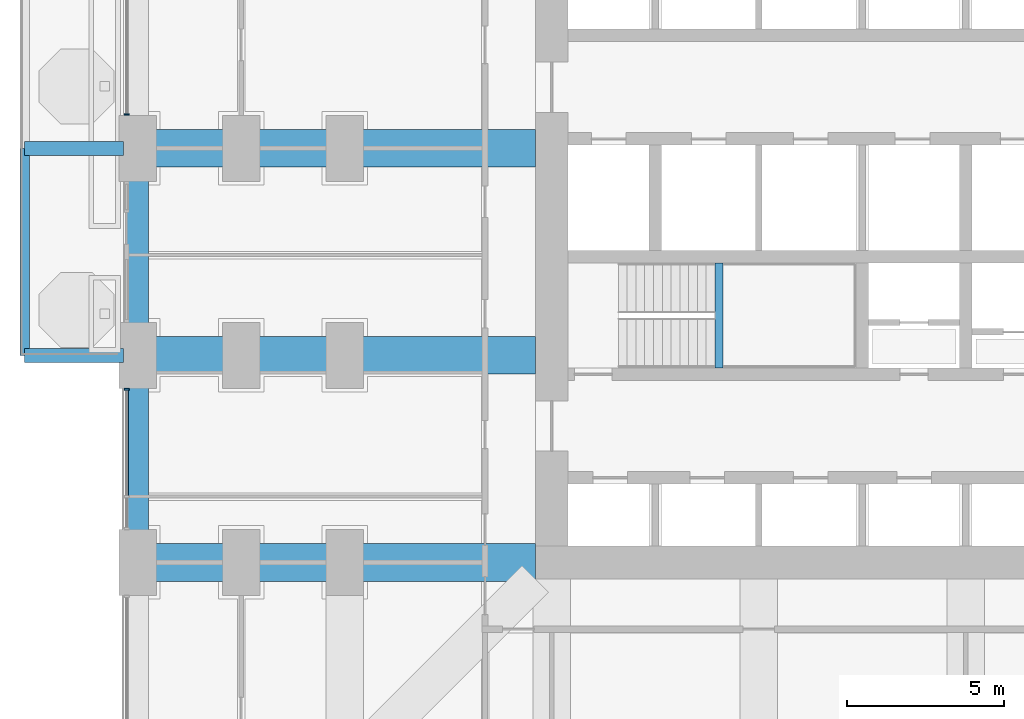
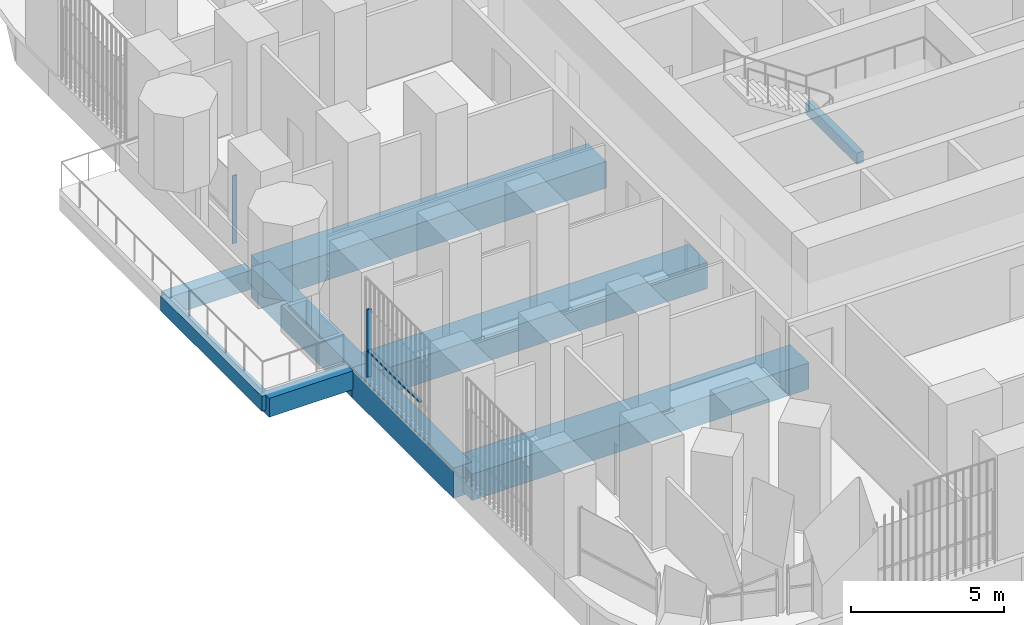
# One storey, part 3 of 26: 9 beams, 3 members, 2 elements without a shape of their own.
"""IFC4 building model written with IfcOpenShell, lengths in metres."""

from ifc_helpers import new_model, si_unit, direction, frame, origin, origin_2d, place, context, subcontext, project, spatial, rectangle, extrude, material, material_profile, profile_set, type_object, element, aggregate, save


model = new_model("IFC4")

# Units and contexts
model_context = context("Model", 3, precision=1e-05, world=origin(), true_north=direction((0.0, 1.0)))
body_context = subcontext(model_context, "Body", "Model", "MODEL_VIEW")
ifc_project = project(units=[si_unit("LENGTHUNIT", "METRE"), si_unit("AREAUNIT", "SQUARE_METRE"), si_unit("VOLUMEUNIT", "CUBIC_METRE"), si_unit("PLANEANGLEUNIT", "RADIAN"), si_unit("MASSUNIT", "GRAM", prefix="KILO")], contexts=[model_context])

# Site, building, storey
site_placement = place(None, origin())
site = spatial("IfcSite", under=ifc_project, at=site_placement, CompositionType="ELEMENT")
building_placement = place(site_placement, origin())
building = spatial("IfcBuilding", under=site, at=building_placement, Name="Cobogo Forest Laboratory Tower", CompositionType="ELEMENT")
storey_placement = place(building_placement, frame((0.0, 0.0, 25.5)))
storey = spatial("IfcBuildingStorey", under=building, at=storey_placement, Name="L05", CompositionType="ELEMENT", Elevation=25.5)

# Beams
ifc_material_1 = material(Name="Concrete HA-40 (C40/50)", Category="concrete")
ifc_material_profile_1 = material_profile(ifc_material_1, rectangle(XDim=0.449951171875, YDim=0.75, at=origin_2d()), Name="RC 450x750")
ifc_profile_set_1 = profile_set([ifc_material_profile_1], Name="Concrete HA-40 (C40/50)")
beam_type_1 = type_object("IfcBeamType", Name="Balcony cantilever beam 450x750", PredefinedType="BEAM", material=ifc_profile_set_1)
for number, where, z_axis, x_axis, name in (
    (1, (-0.449951171875, 19.800048828125, -0.625), (-1.0, 0.0, 0.0), (0.0, -1.0, 0.0), "CB1 BAL-W1-C1 L05"),
    (2, (-0.449951171875, 26.39990234375, -0.625), (-1.0, 0.0, 0.0), (0.0, -1.0, 0.0), "CB1 BAL-W1-C2 L05"),
):
    element("IfcBeam", number, at=place(storey_placement, frame(where, z_axis=z_axis, x_axis=x_axis)), inside=storey, type_object=beam_type_1, Name=name, PredefinedType="BEAM", context=body_context, shape_type="SweptSolid", body=[
        extrude(rectangle(XDim=0.449951171875, YDim=0.75, at=origin_2d()), origin(), (0.0, 0.0, 1.0), 3.150146484375),
    ])
ifc_material_profile_2 = material_profile(ifc_material_1, rectangle(XDim=0.300048828125, YDim=0.60009765625, at=origin_2d()), Name="RC 300x600")
ifc_profile_set_2 = profile_set([ifc_material_profile_2], Name="Concrete HA-40 (C40/50)")
beam_type_2 = type_object("IfcBeamType", Name="Balcony edge beam 300x600", PredefinedType="BEAM", material=ifc_profile_set_2)
beam_1_placement = place(storey_placement, frame((-3.60009765625, 19.800048828125, -0.550048828125), z_axis=(0.0, 1.0, 0.0), x_axis=(-1.0, 0.0, 0.0)))
element("IfcBeam", 3, at=beam_1_placement, inside=storey, type_object=beam_type_2, Name="BB1 BAL-W1-T1 L05", PredefinedType="BEAM", context=body_context, shape_type="SweptSolid", body=[
    extrude(rectangle(XDim=0.300048828125, YDim=0.60009765625, at=origin_2d()), origin(), (0.0, 0.0, 1.0), 6.599853515625),
])
ifc_material_profile_3 = material_profile(ifc_material_1, rectangle(XDim=0.25, YDim=0.449951171875, at=origin_2d()), Name="RC 250x450")
ifc_profile_set_3 = profile_set([ifc_material_profile_3], Name="Concrete HA-40 (C40/50)")
beam_type_3 = type_object("IfcBeamType", Name="LB1 landing beam 250x450", PredefinedType="BEAM", material=ifc_profile_set_3)
beam_2_placement = place(storey_placement, frame((18.530029296875, 19.39990234375, 1.675048828125), z_axis=(0.0, 1.0, 0.0), x_axis=(-1.0, 0.0, 0.0)))
element("IfcBeam", 4, at=beam_2_placement, inside=storey, type_object=beam_type_3, Name="Landing beam ST1 L05", PredefinedType="BEAM", context=body_context, shape_type="SweptSolid", body=[
    extrude(rectangle(XDim=0.25, YDim=0.449951171875, at=origin_2d()), origin(), (0.0, 0.0, 1.0), 3.35009765625),
])
ifc_material_profile_4 = material_profile(ifc_material_1, rectangle(XDim=1.199951171875, YDim=1.050048828125, at=origin_2d()), Name="RC 1200x1050")
ifc_profile_set_4 = profile_set([ifc_material_profile_4], Name="Concrete HA-40 (C40/50)")
beam_type_4 = type_object("IfcBeamType", Name="Laboratory floor wide beam 1200x1050", PredefinedType="BEAM", material=ifc_profile_set_4)
for number, where, z_axis, x_axis, name in (
    (5, (12.675048828125, 13.199951171875, -0.824951171875), (-1.0, 0.0, 0.0), (0.0, -1.0, 0.0), "RB1 R-C-W L05"),
    (6, (12.675048828125, 19.800048828125, -0.824951171875), (-1.0, 0.0, 0.0), (0.0, -1.0, 0.0), "RB1 R-D-W L05"),
    (7, (12.675048828125, 26.39990234375, -0.824951171875), (-1.0, 0.0, 0.0), (0.0, -1.0, 0.0), "RB1 R-E-W L05"),
):
    element("IfcBeam", number, at=place(storey_placement, frame(where, z_axis=z_axis, x_axis=x_axis)), inside=storey, type_object=beam_type_4, Name=name, PredefinedType="BEAM", context=body_context, shape_type="SweptSolid", body=[
        extrude(rectangle(XDim=1.199951171875, YDim=1.050048828125, at=origin_2d()), origin(), (0.0, 0.0, 1.0), 12.675048828125),
    ])

# Curtain wall, member
ifc_material_2 = material(Name="Aluminium curtain wall", Category="aluminium")
curtain_wall_type = type_object("IfcCurtainWallType", Name="CW-1 unitised curtain wall, clear glazing, laboratory floors zones A and B", PredefinedType="USERDEFINED", material=ifc_material_2)
curtain_wall_1_placement = place(storey_placement, origin())
curtain_wall_1 = element("IfcCurtainWall", 8, at=curtain_wall_1_placement, inside=storey, type_object=curtain_wall_type, Name="Curtain wall 28 L05", ObjectType="UNITISED CURTAIN WALL", PredefinedType="USERDEFINED")
ifc_material_3 = material(Name="Aluminium mullion", Category="aluminium")
ifc_material_profile_5 = material_profile(ifc_material_3, rectangle(XDim=0.06005859375, YDim=0.159912109375, at=origin_2d()), Name="AL 60x160")
ifc_profile_set_5 = profile_set([ifc_material_profile_5], Name="Aluminium mullion")
member_type_1 = type_object("IfcMemberType", Name="MU-1 aluminium mullion 60x160", PredefinedType="MULLION", material=ifc_profile_set_5)
member_1_placement = place(storey_placement, frame((-0.35009765625, 27.47998046875, 0.0), z_axis=(0.0, 0.0, 1.0), x_axis=(0.0, -1.0, 0.0)))
member_1 = element("IfcMember", 9, at=member_1_placement, type_object=member_type_1, Name="CW-1 mullion 2", PredefinedType="MULLION", context=body_context, shape_type="SweptSolid", body=[
    extrude(rectangle(XDim=0.06005859375, YDim=0.159912109375, at=origin_2d()), origin(), (0.0, 0.0, 1.0), 2.699951171875),
])
aggregate(curtain_wall_1, [member_1])

curtain_wall_2_placement = place(storey_placement, origin())
curtain_wall_2 = element("IfcCurtainWall", 10, at=curtain_wall_2_placement, inside=storey, type_object=curtain_wall_type, Name="Curtain wall 30 L05", ObjectType="UNITISED CURTAIN WALL", PredefinedType="USERDEFINED")
member_2_placement = place(storey_placement, frame((-0.35009765625, 18.719970703125, 0.0), z_axis=(0.0, 0.0, 1.0), x_axis=(0.0, -1.0, 0.0)))
member_2 = element("IfcMember", 11, at=member_2_placement, type_object=member_type_1, Name="CW-1 mullion 1", PredefinedType="MULLION", context=body_context, shape_type="SweptSolid", body=[
    extrude(rectangle(XDim=0.06005859375, YDim=0.159912109375, at=origin_2d()), origin(), (0.0, 0.0, 1.0), 2.699951171875),
])

# Beams
ifc_material_profile_6 = material_profile(ifc_material_1, rectangle(XDim=0.699951171875, YDim=1.199951171875, at=origin_2d()), Name="RC 700x1200")
ifc_profile_set_6 = profile_set([ifc_material_profile_6], Name="Concrete HA-40 (C40/50)")
beam_type_5 = type_object("IfcBeamType", Name="Perimeter edge beam 700x1200", PredefinedType="BEAM", material=ifc_profile_set_6)
beam_3_placement = place(storey_placement, frame((0.0, 13.199951171875, -0.89990234375), z_axis=(0.0, 1.0, 0.0), x_axis=(-1.0, 0.0, 0.0)))
element("IfcBeam", 12, at=beam_3_placement, inside=storey, type_object=beam_type_5, Name="EB1 E-W2 L05", PredefinedType="BEAM", context=body_context, shape_type="SweptSolid", body=[
    extrude(rectangle(XDim=0.699951171875, YDim=1.199951171875, at=origin_2d()), origin(), (0.0, 0.0, 1.0), 6.60009765625),
])
beam_4_placement = place(storey_placement, frame((0.0, 19.800048828125, -0.89990234375), z_axis=(0.0, 1.0, 0.0), x_axis=(-1.0, 0.0, 0.0)))
element("IfcBeam", 13, at=beam_4_placement, inside=storey, type_object=beam_type_5, Name="EB1 E-W3 L05", PredefinedType="BEAM", context=body_context, shape_type="SweptSolid", body=[
    extrude(rectangle(XDim=0.699951171875, YDim=1.199951171875, at=origin_2d()), origin(), (0.0, 0.0, 1.0), 6.599853515625),
])

# Member
ifc_material_4 = material(Name="Aluminium transom", Category="aluminium")
ifc_material_profile_7 = material_profile(ifc_material_4, rectangle(XDim=0.1201171875, YDim=0.06005859375, at=origin_2d()), Name="AL 60x120")
ifc_profile_set_7 = profile_set([ifc_material_profile_7], Name="Aluminium transom")
member_type_2 = type_object("IfcMemberType", Name="TR-1 aluminium transom 60x120", PredefinedType="USERDEFINED", material=ifc_profile_set_7)
member_3_placement = place(storey_placement, frame((-0.35009765625, 18.68994140625, 1.050048828125), z_axis=(0.0, -1.0, 0.0), x_axis=(1.0, 0.0, 0.0)))
member_3 = element("IfcMember", 14, at=member_3_placement, type_object=member_type_2, Name="CW-1 transom 1.1", ObjectType="TRANSOM", PredefinedType="USERDEFINED", context=body_context, shape_type="SweptSolid", body=[
    extrude(rectangle(XDim=0.1201171875, YDim=0.06005859375, at=origin_2d()), origin(), (0.0, 0.0, 1.0), 3.35986328125),
])

aggregate(curtain_wall_2, [member_2, member_3])

save(model, "model.ifc")
